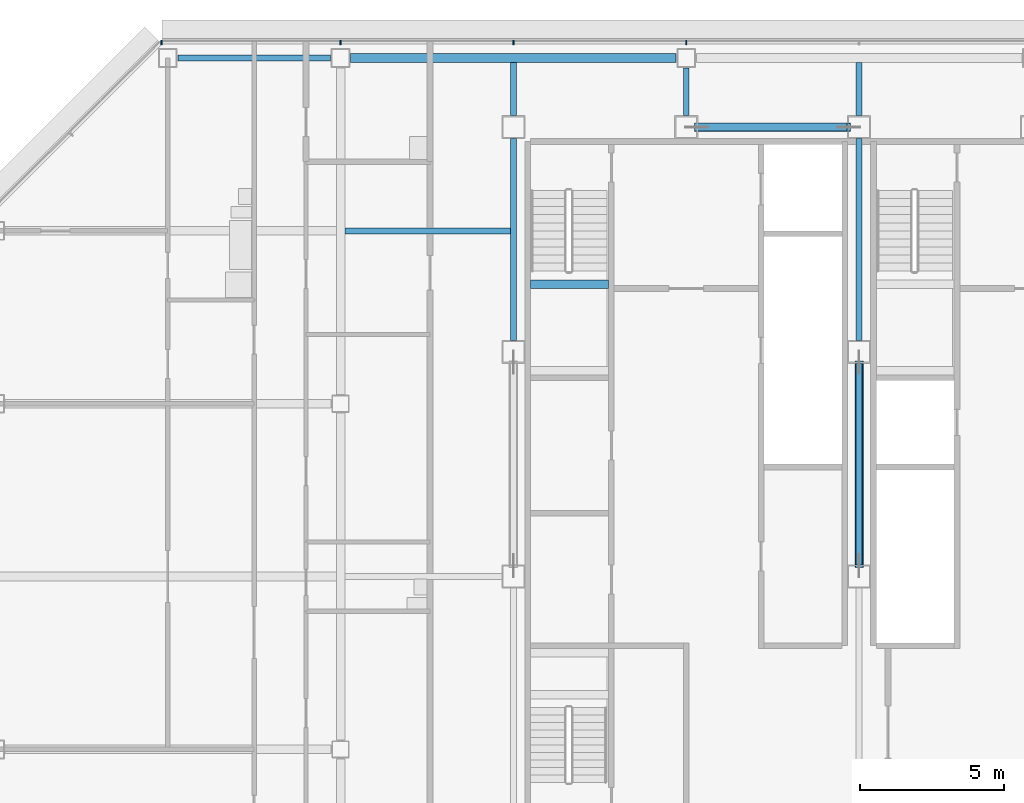
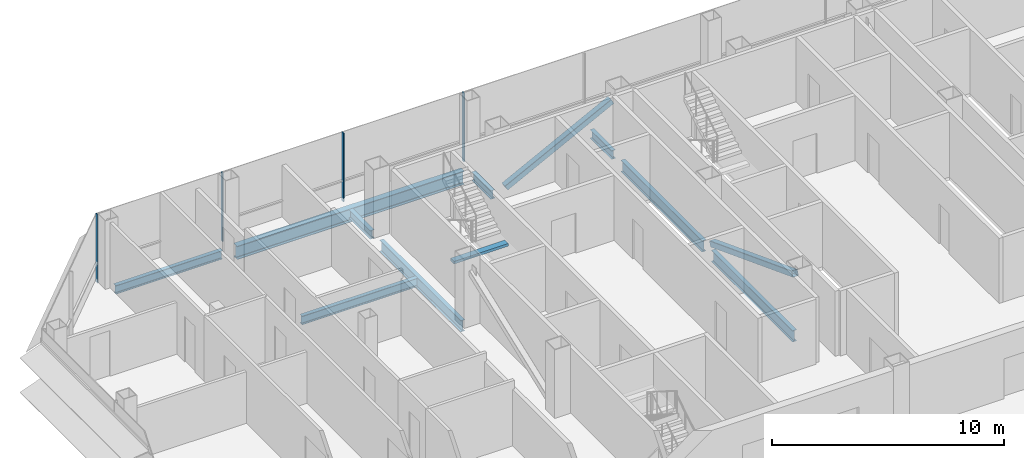
# One storey, part 12 of 29: 10 beams, 6 members, 1 element without a shape of its own.
"""IFC4 building model written with IfcOpenShell, lengths in metres."""

from ifc_helpers import new_model, si_unit, direction, frame, origin, origin_2d, place, context, subcontext, project, spatial, rectangle, hollow_rectangle, i_section, extrude, material, material_profile, profile_set, type_object, element, aggregate, save


model = new_model("IFC4")

# Units and contexts
model_context = context("Model", 3, precision=1e-05, world=origin(), true_north=direction((0.0, 1.0)))
body_context = subcontext(model_context, "Body", "Model", "MODEL_VIEW")
ifc_project = project(units=[si_unit("LENGTHUNIT", "METRE"), si_unit("AREAUNIT", "SQUARE_METRE"), si_unit("VOLUMEUNIT", "CUBIC_METRE"), si_unit("PLANEANGLEUNIT", "RADIAN"), si_unit("MASSUNIT", "GRAM", prefix="KILO")], contexts=[model_context])

# Site, building, storey
site_placement = place(None, origin())
site = spatial("IfcSite", under=ifc_project, at=site_placement, CompositionType="ELEMENT")
building_placement = place(site_placement, origin())
building = spatial("IfcBuilding", under=site, at=building_placement, Name="Sorahane Residences", CompositionType="ELEMENT")
storey_placement = place(building_placement, frame((0.0, 0.0, 199.199951171875)))
storey = spatial("IfcBuildingStorey", under=building, at=storey_placement, Name="L46", CompositionType="ELEMENT", Elevation=199.199951171875)

# Members
ifc_material_1 = material(Name="Steel Q355B", Category="steel")
ifc_material_profile_1 = material_profile(ifc_material_1, hollow_rectangle(XDim=0.300048828125, YDim=0.300048828125, WallThickness=0.01611328125, InnerFilletRadius=0.008056640625, OuterFilletRadius=0.02392578125, at=origin_2d()), Name="RHS 300x300x16")
ifc_profile_set_1 = profile_set([ifc_material_profile_1], Name="Steel Q355B")
member_type_1 = type_object("IfcMemberType", Name="Core brace RHS 300x300x16 Q355B", PredefinedType="BRACE", material=ifc_profile_set_1)
member_1_placement = place(storey_placement, frame((12.35888671875, 45.60009765625, 0.12890625), z_axis=(0.889590046837, 0.0, 0.45675983686), x_axis=(0.0, 1.0, 0.0)))
element("IfcMember", 1, at=member_1_placement, inside=storey, type_object=member_type_1, Name="Core brace L46 y45.6-2", PredefinedType="BRACE", context=body_context, shape_type="SweptSolid", body=[
    extrude(hollow_rectangle(XDim=0.300048828125, YDim=0.300048828125, WallThickness=0.01611328125, InnerFilletRadius=0.008056640625, OuterFilletRadius=0.02392578125, at=origin_2d()), origin(), (0.0, 0.0, 1.0), 5.937744140625),
])
member_2_placement = place(storey_placement, frame((18.0, 37.43212890625, 0.1376953125), z_axis=(0.0, -0.934335722983, 0.356394103147), x_axis=(1.0, 0.0, 0.0)))
element("IfcMember", 2, at=member_2_placement, inside=storey, type_object=member_type_1, Name="Core brace L46 x18-1", PredefinedType="BRACE", context=body_context, shape_type="SweptSolid", body=[
    extrude(hollow_rectangle(XDim=0.300048828125, YDim=0.300048828125, WallThickness=0.01611328125, InnerFilletRadius=0.008056640625, OuterFilletRadius=0.02392578125, at=origin_2d()), origin(), (0.0, 0.0, 1.0), 7.560791015625),
])

# Curtain wall, members
ifc_material_2 = material(Name="Dark low-e glass and black anodised aluminium", Category="aluminium")
curtain_wall_type = type_object("IfcCurtainWallType", Name="Curtain wall CW-1 Typical unitised wall", PredefinedType="NOTDEFINED", material=ifc_material_2)
curtain_wall_placement = place(storey_placement, origin())
curtain_wall = element("IfcCurtainWall", 3, at=curtain_wall_placement, inside=storey, type_object=curtain_wall_type, Name="CW-1 curtain wall L46 N2", PredefinedType="NOTDEFINED")
ifc_material_3 = material(Name="Black anodised aluminium", Category="aluminium")
ifc_material_profile_2 = material_profile(ifc_material_3, rectangle(XDim=0.159912109375, YDim=0.050048828125, at=origin_2d()), Name="Curtain wall mullion CW-1 black anodised aluminium 50x160")
ifc_profile_set_2 = profile_set([ifc_material_profile_2], Name="Black anodised aluminium")
member_type_2 = type_object("IfcMemberType", Name="Curtain wall mullion CW-1 black anodised aluminium 50x160", PredefinedType="MULLION", material=ifc_profile_set_2)
member_3_placement = place(storey_placement, frame((12.0, 48.5400390625, -0.179931640625), z_axis=(0.0, 0.0, 1.0), x_axis=(0.0, 1.0, 0.0)))
member_3 = element("IfcMember", 4, at=member_3_placement, type_object=member_type_2, Name="CW-1 mullion L46 N2.7", PredefinedType="MULLION", context=body_context, shape_type="SweptSolid", body=[
    extrude(rectangle(XDim=0.159912109375, YDim=0.050048828125, at=origin_2d()), origin(), (0.0, 0.0, 1.0), 3.60009765625),
])
member_4_placement = place(storey_placement, frame((6.0, 48.5400390625, -0.179931640625), z_axis=(0.0, 0.0, 1.0), x_axis=(0.0, 1.0, 0.0)))
member_4 = element("IfcMember", 5, at=member_4_placement, type_object=member_type_2, Name="CW-1 mullion L46 N2.8", PredefinedType="MULLION", context=body_context, shape_type="SweptSolid", body=[
    extrude(rectangle(XDim=0.159912109375, YDim=0.050048828125, at=origin_2d()), origin(), (0.0, 0.0, 1.0), 3.60009765625),
])
member_5_placement = place(storey_placement, frame((0.0, 48.5400390625, -0.179931640625), z_axis=(0.0, 0.0, 1.0), x_axis=(0.0, 1.0, 0.0)))
member_5 = element("IfcMember", 6, at=member_5_placement, type_object=member_type_2, Name="CW-1 mullion L46 N2.9", PredefinedType="MULLION", context=body_context, shape_type="SweptSolid", body=[
    extrude(rectangle(XDim=0.159912109375, YDim=0.050048828125, at=origin_2d()), origin(), (0.0, 0.0, 1.0), 3.60009765625),
])
member_6_placement = place(storey_placement, frame((-6.2236328125, 48.5400390625, -0.179931640625), z_axis=(0.0, 0.0, 1.0), x_axis=(0.0, 1.0, 0.0)))
member_6 = element("IfcMember", 7, at=member_6_placement, type_object=member_type_2, Name="CW-1 mullion L46 N2.10", PredefinedType="MULLION", context=body_context, shape_type="SweptSolid", body=[
    extrude(rectangle(XDim=0.159912109375, YDim=0.050048828125, at=origin_2d()), origin(), (0.0, 0.0, 1.0), 3.60009765625),
])
aggregate(curtain_wall, [member_3, member_4, member_5, member_6])

# Beams
ifc_material_4 = material(Name="Concrete C40", Category="concrete")
ifc_material_profile_3 = material_profile(ifc_material_4, rectangle(XDim=0.300048828125, YDim=0.139892578125, at=origin_2d()), Name="300x140")
ifc_profile_set_3 = profile_set([ifc_material_profile_3], Name="Concrete C40")
beam_type_1 = type_object("IfcBeamType", Name="RC landing beam 300 x 140 Concrete C40", PredefinedType="BEAM", material=ifc_profile_set_3)
beam_1_placement = place(storey_placement, frame((6.60009765625, 40.14990234375, 1.530029296875), z_axis=(1.0, 0.0, 0.0), x_axis=(0.0, 1.0, 0.0)))
element("IfcBeam", 8, at=beam_1_placement, inside=storey, type_object=beam_type_1, Name="Landing beam", PredefinedType="BEAM", context=body_context, shape_type="SweptSolid", body=[
    extrude(rectangle(XDim=0.300048828125, YDim=0.139892578125, at=origin_2d()), origin(), (0.0, 0.0, 1.0), 2.699951171875),
])
ifc_material_5 = material(Name="Steel Q355B", Category="steel")
ifc_material_profile_4 = material_profile(ifc_material_5, i_section(OverallWidth=0.199951171875, OverallDepth=0.449951171875, WebThickness=0.009033203125, FlangeThickness=0.013916015625, FilletRadius=0.02001953125, at=origin_2d()), Name="HN 450x200x9x14")
ifc_profile_set_4 = profile_set([ifc_material_profile_4], Name="Steel Q355B")
beam_type_2 = type_object("IfcBeamType", Name="Steel floor beam HN 450x200x9x14 Q355B", PredefinedType="BEAM", material=ifc_profile_set_4)
beam_2_placement = place(storey_placement, frame((-5.64990234375, 48.0, -0.405029296875), z_axis=(1.0, 0.0, 0.0), x_axis=(0.0, 1.0, 0.0)))
element("IfcBeam", 9, at=beam_2_placement, inside=storey, type_object=beam_type_2, Name="Beam L46 015", PredefinedType="BEAM", context=body_context, shape_type="SweptSolid", body=[
    extrude(i_section(OverallWidth=0.199951171875, OverallDepth=0.449951171875, WebThickness=0.009033203125, FlangeThickness=0.013916015625, FilletRadius=0.02001953125, at=origin_2d()), origin(), (0.0, 0.0, 1.0), 5.2998046875),
])
beam_3_placement = place(storey_placement, frame((6.0, 46.0, -0.405029296875), z_axis=(0.0, 1.0, 0.0), x_axis=(-1.0, 0.0, 0.0)))
element("IfcBeam", 10, at=beam_3_placement, inside=storey, type_object=beam_type_2, Name="Beam L46 032", PredefinedType="BEAM", context=body_context, shape_type="SweptSolid", body=[
    extrude(i_section(OverallWidth=0.199951171875, OverallDepth=0.449951171875, WebThickness=0.009033203125, FlangeThickness=0.013916015625, FilletRadius=0.02001953125, at=origin_2d()), origin(), (0.0, 0.0, 1.0), 1.85009765625),
])
beam_4_placement = place(storey_placement, frame((12.0, 46.0, -0.405029296875), z_axis=(0.0, 1.0, 0.0), x_axis=(-1.0, 0.0, 0.0)))
element("IfcBeam", 11, at=beam_4_placement, inside=storey, type_object=beam_type_2, Name="Beam L46 034", PredefinedType="BEAM", context=body_context, shape_type="SweptSolid", body=[
    extrude(i_section(OverallWidth=0.199951171875, OverallDepth=0.449951171875, WebThickness=0.009033203125, FlangeThickness=0.013916015625, FilletRadius=0.02001953125, at=origin_2d()), origin(), (0.0, 0.0, 1.0), 1.64990234375),
])
beam_5_placement = place(storey_placement, frame((18.0, 46.0, -0.405029296875), z_axis=(0.0, 1.0, 0.0), x_axis=(-1.0, 0.0, 0.0)))
element("IfcBeam", 12, at=beam_5_placement, inside=storey, type_object=beam_type_2, Name="Beam L46 040", PredefinedType="BEAM", context=body_context, shape_type="SweptSolid", body=[
    extrude(i_section(OverallWidth=0.199951171875, OverallDepth=0.449951171875, WebThickness=0.009033203125, FlangeThickness=0.013916015625, FilletRadius=0.02001953125, at=origin_2d()), origin(), (0.0, 0.0, 1.0), 1.85009765625),
])
beam_6_placement = place(storey_placement, frame((0.14990234375, 42.0, -0.405029296875), z_axis=(1.0, 0.0, 0.0), x_axis=(0.0, 1.0, 0.0)))
element("IfcBeam", 13, at=beam_6_placement, inside=storey, type_object=beam_type_2, Name="Beam L46 086", PredefinedType="BEAM", context=body_context, shape_type="SweptSolid", body=[
    extrude(i_section(OverallWidth=0.199951171875, OverallDepth=0.449951171875, WebThickness=0.009033203125, FlangeThickness=0.013916015625, FilletRadius=0.02001953125, at=origin_2d()), origin(), (0.0, 0.0, 1.0), 5.75),
])
ifc_material_6 = material(Name="Steel Q355B", Category="steel")
ifc_material_profile_5 = material_profile(ifc_material_6, i_section(OverallWidth=0.199951171875, OverallDepth=0.60009765625, WebThickness=0.010986328125, FlangeThickness=0.01708984375, FilletRadius=0.02392578125, at=origin_2d()), Name="HN 600x200x11x17")
ifc_profile_set_5 = profile_set([ifc_material_profile_5], Name="Steel Q355B")
beam_type_3 = type_object("IfcBeamType", Name="Steel floor beam HN 600x200x11x17 Q355B", PredefinedType="BEAM", material=ifc_profile_set_5)
for number, where, z_axis, x_axis, name in (
    (14, (6.0, 38.199951171875, -0.47998046875), (0.0, 1.0, 0.0), (-1.0, 0.0, 0.0), "Beam L46 031"),
    (15, (18.0, 30.39990234375, -0.47998046875), (0.0, 1.0, 0.0), (-1.0, 0.0, 0.0), "Beam L46 038"),
    (16, (18.0, 38.199951171875, -0.47998046875), (0.0, 1.0, 0.0), (-1.0, 0.0, 0.0), "Beam L46 039"),
):
    element("IfcBeam", number, at=place(storey_placement, frame(where, z_axis=z_axis, x_axis=x_axis)), inside=storey, type_object=beam_type_3, Name=name, PredefinedType="BEAM", context=body_context, shape_type="SweptSolid", body=[
        extrude(i_section(OverallWidth=0.199951171875, OverallDepth=0.60009765625, WebThickness=0.010986328125, FlangeThickness=0.01708984375, FilletRadius=0.02392578125, at=origin_2d()), origin(), (0.0, 0.0, 1.0), 7.0),
    ])
ifc_material_7 = material(Name="Steel Q355B", Category="steel")
ifc_material_profile_6 = material_profile(ifc_material_7, i_section(OverallWidth=0.300048828125, OverallDepth=0.699951171875, WebThickness=0.012939453125, FlangeThickness=0.02392578125, FilletRadius=0.028076171875, at=origin_2d()), Name="HN 700x300x13x24")
ifc_profile_set_6 = profile_set([ifc_material_profile_6], Name="Steel Q355B")
beam_type_4 = type_object("IfcBeamType", Name="Steel floor beam HN 700x300x13x24 Q355B", PredefinedType="BEAM", material=ifc_profile_set_6)
beam_7_placement = place(storey_placement, frame((0.35009765625, 48.0, -0.530029296875), z_axis=(1.0, 0.0, 0.0), x_axis=(0.0, 1.0, 0.0)))
element("IfcBeam", 17, at=beam_7_placement, inside=storey, type_object=beam_type_4, Name="Beam L46 016", PredefinedType="BEAM", context=body_context, shape_type="SweptSolid", body=[
    extrude(i_section(OverallWidth=0.300048828125, OverallDepth=0.699951171875, WebThickness=0.012939453125, FlangeThickness=0.02392578125, FilletRadius=0.028076171875, at=origin_2d()), origin(), (0.0, 0.0, 1.0), 11.2998046875),
])

save(model, "model.ifc")
